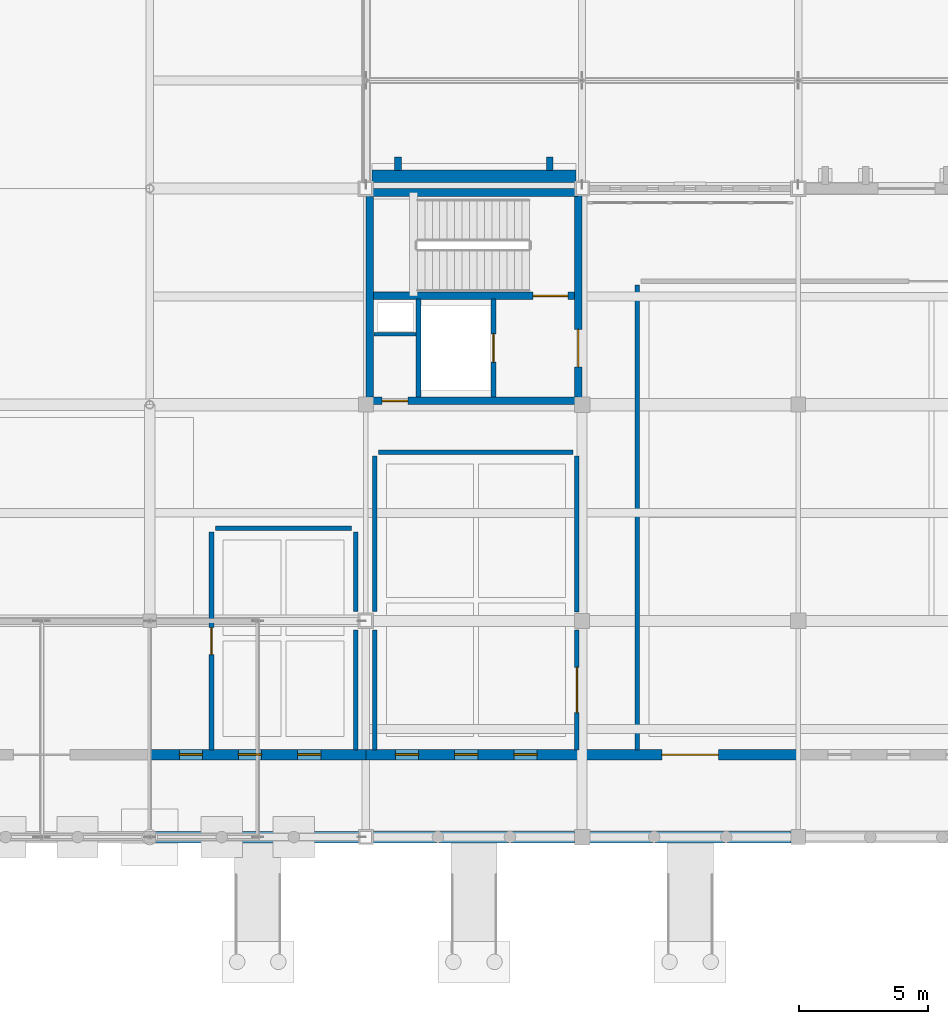
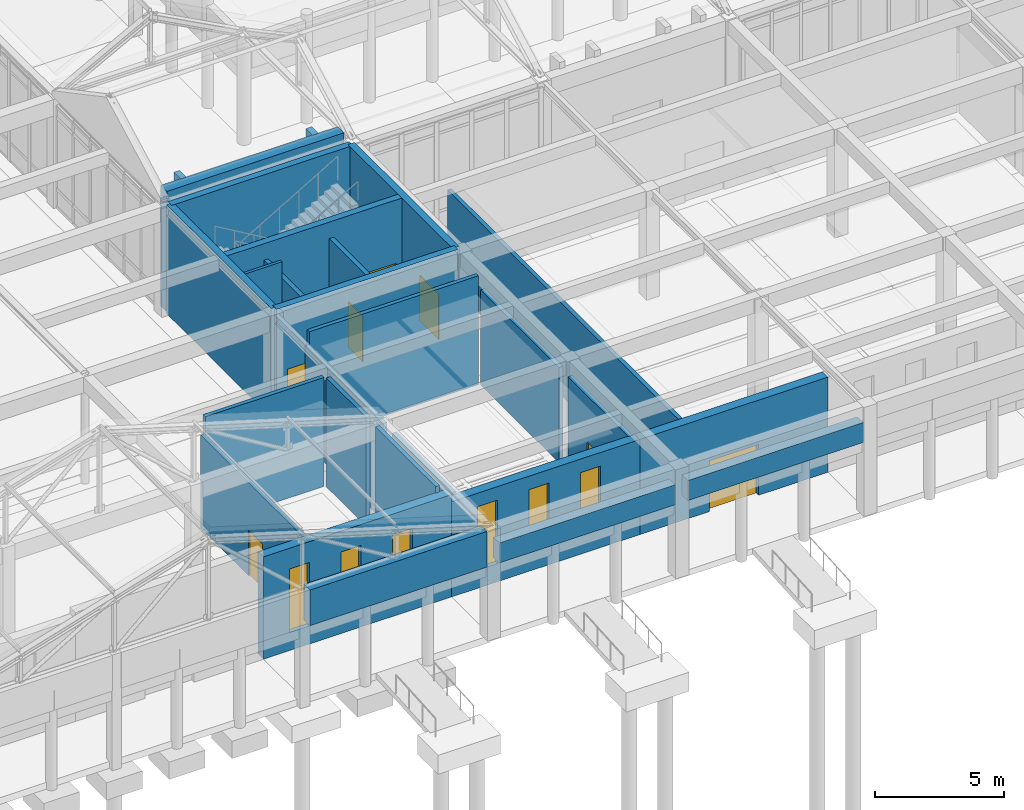
# One storey, part 110 of 143: 27 walls, 7 doors, 6 windows, 13 openings.
"""IFC4 building model written with IfcOpenShell, lengths in metres."""

from ifc_helpers import new_model, si_unit, direction, frame, frame_2d, origin, place, context, subcontext, project, spatial, rectangle, extrude, material, layer, layer_set, type_object, element, fill, save


model = new_model("IFC4")

# Units and contexts
model_context = context("Model", 3, precision=1e-05, world=origin(), true_north=direction((0.0, 1.0)))
body_context = subcontext(model_context, "Body", "Model", "MODEL_VIEW")
ifc_project = project(units=[si_unit("LENGTHUNIT", "METRE"), si_unit("AREAUNIT", "SQUARE_METRE"), si_unit("VOLUMEUNIT", "CUBIC_METRE"), si_unit("PLANEANGLEUNIT", "RADIAN"), si_unit("MASSUNIT", "GRAM", prefix="KILO")], contexts=[model_context])

# Site, building, storey
site_placement = place(None, origin())
site = spatial("IfcSite", under=ifc_project, at=site_placement, CompositionType="ELEMENT")
building_placement = place(site_placement, origin())
building = spatial("IfcBuilding", under=site, at=building_placement, Name="Kveldsbrygga Polytechnic", CompositionType="ELEMENT")
storey_placement = place(building_placement, origin())
storey = spatial("IfcBuildingStorey", under=building, at=storey_placement, Name="L00", CompositionType="ELEMENT", Elevation=0.0)

# Wall
ifc_material_1 = material(Name="Fired clay brick masonry M10", Category="masonry")
ifc_layer_1 = layer(ifc_material_1, 0.47998046875)
ifc_layer_set_1 = layer_set([ifc_layer_1], Name="Fired clay brick masonry M10")
wall_type_1 = type_object("IfcWallType", Name="EW-BAST-480", PredefinedType="SOLIDWALL", material=ifc_layer_set_1)
wall_1_placement = place(storey_placement, frame((75.840087890625, 25.679931640625, -0.25), z_axis=(0.0, 0.0, 1.0), x_axis=(1.0, 0.0, 0.0)))
element("IfcWall", 1, at=wall_1_placement, inside=storey, type_object=wall_type_1, Name="Corner Stair Bastion Wall BAST-L00-X-09-03", PredefinedType="SOLIDWALL", context=body_context, shape_type="SweptSolid", body=[
    extrude(rectangle(XDim=7.919921875, YDim=0.47998046875, at=frame_2d((3.9599609375, 0.0))), origin(), (0.0, 0.0, 1.0), 5.68994140625),
])

# Wall, openings, windows
ifc_layer_2 = layer(ifc_material_1, 0.419921875)
ifc_layer_set_2 = layer_set([ifc_layer_2], Name="Fired clay brick masonry M10")
wall_type_2 = type_object("IfcWallType", Name="EW-BRICK-420", PredefinedType="SOLIDWALL", material=ifc_layer_set_2)
wall_2_placement = place(storey_placement, frame((67.199951171875, 3.199951171875, 0.0), z_axis=(0.0, 0.0, 1.0), x_axis=(1.0, 0.0, 0.0)))
wall_2 = element("IfcWall", 2, at=wall_2_placement, inside=storey, type_object=wall_type_2, Name="Colonnade Recessed Ground Wall EW-L00-X-08-00", PredefinedType="SOLIDWALL", context=body_context, shape_type="SweptSolid", body=[
    extrude(rectangle(XDim=8.400146484375, YDim=0.419921875, at=frame_2d((4.2001953125, 0.0))), origin(), (0.0, 0.0, 1.0), 4.830078125),
])
opening_1_placement = place(wall_2_placement, frame((1.14990234375, 0.0, 0.85009765625)))
opening_1 = element("IfcOpeningElement", 3, at=opening_1_placement, cuts=wall_2, Name="Opening W-19", PredefinedType="OPENING", context=body_context, shape_type="SweptSolid", body=[
    extrude(rectangle(XDim=0.89990234375, YDim=3.0, at=frame_2d((0.449951171875, 1.5))), frame((0.0, 0.219970703125, 0.0), z_axis=(0.0, -1.0, 0.0), x_axis=(1.0, 0.0, 0.0)), (0.0, 0.0, 1.0), 0.43994140625),
])
opening_2_placement = place(wall_2_placement, frame((3.449951171875, 0.0, 0.85009765625)))
opening_2 = element("IfcOpeningElement", 4, at=opening_2_placement, cuts=wall_2, Name="Opening W-19", PredefinedType="OPENING", context=body_context, shape_type="SweptSolid", body=[
    extrude(rectangle(XDim=0.89990234375, YDim=3.0, at=frame_2d((0.449951171875, 1.5))), frame((0.0, 0.219970703125, 0.0), z_axis=(0.0, -1.0, 0.0), x_axis=(1.0, 0.0, 0.0)), (0.0, 0.0, 1.0), 0.43994140625),
])
opening_3_placement = place(wall_2_placement, frame((5.75, 0.0, 0.85009765625)))
opening_3 = element("IfcOpeningElement", 5, at=opening_3_placement, cuts=wall_2, Name="Opening W-19", PredefinedType="OPENING", context=body_context, shape_type="SweptSolid", body=[
    extrude(rectangle(XDim=0.89990234375, YDim=3.0, at=frame_2d((0.449951171875, 1.5))), frame((0.0, 0.219970703125, 0.0), z_axis=(0.0, -1.0, 0.0), x_axis=(1.0, 0.0, 0.0)), (0.0, 0.0, 1.0), 0.43994140625),
])
ifc_material_2 = material(Name="Insulated triple low-E glass", Category="glass")
window_type = type_object("IfcWindowType", Name="WN-LANC-090x300", PartitioningType="DOUBLE_PANEL_VERTICAL", PredefinedType="WINDOW", material=ifc_material_2)
window_1_placement = place(opening_1_placement, origin())
window_1 = element("IfcWindow", 6, at=window_1_placement, inside=storey, type_object=window_type, Name="Colonnade Lancet Window WIN-L00-X-08-00-1", OverallHeight=3.0, OverallWidth=0.89990234375, PartitioningType="DOUBLE_PANEL_VERTICAL", PredefinedType="WINDOW", context=body_context, shape_type="SweptSolid", body=[
    extrude(rectangle(XDim=0.89990234375, YDim=3.0, at=frame_2d((0.449951171875, 1.5))), frame((0.0, 0.030029296875, 0.0), z_axis=(0.0, -1.0, 0.0), x_axis=(1.0, 0.0, 0.0)), (0.0, 0.0, 1.0), 0.06005859375),
])
fill(opening_1, window_1)
window_2_placement = place(opening_2_placement, origin())
window_2 = element("IfcWindow", 7, at=window_2_placement, inside=storey, type_object=window_type, Name="Colonnade Lancet Window WIN-L00-X-08-00-2", OverallHeight=3.0, OverallWidth=0.89990234375, PartitioningType="DOUBLE_PANEL_VERTICAL", PredefinedType="WINDOW", context=body_context, shape_type="SweptSolid", body=[
    extrude(rectangle(XDim=0.89990234375, YDim=3.0, at=frame_2d((0.449951171875, 1.5))), frame((0.0, 0.030029296875, 0.0), z_axis=(0.0, -1.0, 0.0), x_axis=(1.0, 0.0, 0.0)), (0.0, 0.0, 1.0), 0.06005859375),
])
fill(opening_2, window_2)
window_3_placement = place(opening_3_placement, origin())
window_3 = element("IfcWindow", 8, at=window_3_placement, inside=storey, type_object=window_type, Name="Colonnade Lancet Window WIN-L00-X-08-00-3", OverallHeight=3.0, OverallWidth=0.89990234375, PartitioningType="DOUBLE_PANEL_VERTICAL", PredefinedType="WINDOW", context=body_context, shape_type="SweptSolid", body=[
    extrude(rectangle(XDim=0.89990234375, YDim=3.0, at=frame_2d((0.449951171875, 1.5))), frame((0.0, 0.030029296875, 0.0), z_axis=(0.0, -1.0, 0.0), x_axis=(1.0, 0.0, 0.0)), (0.0, 0.0, 1.0), 0.06005859375),
])
fill(opening_3, window_3)

wall_3_placement = place(storey_placement, frame((75.60009765625, 3.199951171875, 0.0), z_axis=(0.0, 0.0, 1.0), x_axis=(1.0, 0.0, 0.0)))
wall_3 = element("IfcWall", 9, at=wall_3_placement, inside=storey, type_object=wall_type_2, Name="Colonnade Recessed Ground Wall EW-L00-X-09-00", PredefinedType="SOLIDWALL", context=body_context, shape_type="SweptSolid", body=[
    extrude(rectangle(XDim=8.39990234375, YDim=0.419921875, at=frame_2d((4.199951171875, 0.0))), origin(), (0.0, 0.0, 1.0), 4.489990234375),
])
opening_4_placement = place(wall_3_placement, frame((1.14990234375, 0.0, 0.85009765625)))
opening_4 = element("IfcOpeningElement", 10, at=opening_4_placement, cuts=wall_3, Name="Opening W-19", PredefinedType="OPENING", context=body_context, shape_type="SweptSolid", body=[
    extrude(rectangle(XDim=0.89990234375, YDim=3.0, at=frame_2d((0.449951171875, 1.5))), frame((0.0, 0.219970703125, 0.0), z_axis=(0.0, -1.0, 0.0), x_axis=(1.0, 0.0, 0.0)), (0.0, 0.0, 1.0), 0.43994140625),
])
opening_5_placement = place(wall_3_placement, frame((3.449951171875, 0.0, 0.85009765625)))
opening_5 = element("IfcOpeningElement", 11, at=opening_5_placement, cuts=wall_3, Name="Opening W-19", PredefinedType="OPENING", context=body_context, shape_type="SweptSolid", body=[
    extrude(rectangle(XDim=0.89990234375, YDim=3.0, at=frame_2d((0.449951171875, 1.5))), frame((0.0, 0.219970703125, 0.0), z_axis=(0.0, -1.0, 0.0), x_axis=(1.0, 0.0, 0.0)), (0.0, 0.0, 1.0), 0.43994140625),
])
opening_6_placement = place(wall_3_placement, frame((5.75, 0.0, 0.85009765625)))
opening_6 = element("IfcOpeningElement", 12, at=opening_6_placement, cuts=wall_3, Name="Opening W-19", PredefinedType="OPENING", context=body_context, shape_type="SweptSolid", body=[
    extrude(rectangle(XDim=0.89990234375, YDim=3.0, at=frame_2d((0.449951171875, 1.5))), frame((0.0, 0.219970703125, 0.0), z_axis=(0.0, -1.0, 0.0), x_axis=(1.0, 0.0, 0.0)), (0.0, 0.0, 1.0), 0.43994140625),
])
window_4_placement = place(opening_4_placement, origin())
window_4 = element("IfcWindow", 13, at=window_4_placement, inside=storey, type_object=window_type, Name="Colonnade Lancet Window WIN-L00-X-09-00-1", OverallHeight=3.0, OverallWidth=0.89990234375, PartitioningType="DOUBLE_PANEL_VERTICAL", PredefinedType="WINDOW", context=body_context, shape_type="SweptSolid", body=[
    extrude(rectangle(XDim=0.89990234375, YDim=3.0, at=frame_2d((0.449951171875, 1.5))), frame((0.0, 0.030029296875, 0.0), z_axis=(0.0, -1.0, 0.0), x_axis=(1.0, 0.0, 0.0)), (0.0, 0.0, 1.0), 0.06005859375),
])
fill(opening_4, window_4)
window_5_placement = place(opening_5_placement, origin())
window_5 = element("IfcWindow", 14, at=window_5_placement, inside=storey, type_object=window_type, Name="Colonnade Lancet Window WIN-L00-X-09-00-2", OverallHeight=3.0, OverallWidth=0.89990234375, PartitioningType="DOUBLE_PANEL_VERTICAL", PredefinedType="WINDOW", context=body_context, shape_type="SweptSolid", body=[
    extrude(rectangle(XDim=0.89990234375, YDim=3.0, at=frame_2d((0.449951171875, 1.5))), frame((0.0, 0.030029296875, 0.0), z_axis=(0.0, -1.0, 0.0), x_axis=(1.0, 0.0, 0.0)), (0.0, 0.0, 1.0), 0.06005859375),
])
fill(opening_5, window_5)
window_6_placement = place(opening_6_placement, origin())
window_6 = element("IfcWindow", 15, at=window_6_placement, inside=storey, type_object=window_type, Name="Colonnade Lancet Window WIN-L00-X-09-00-3", OverallHeight=3.0, OverallWidth=0.89990234375, PartitioningType="DOUBLE_PANEL_VERTICAL", PredefinedType="WINDOW", context=body_context, shape_type="SweptSolid", body=[
    extrude(rectangle(XDim=0.89990234375, YDim=3.0, at=frame_2d((0.449951171875, 1.5))), frame((0.0, 0.030029296875, 0.0), z_axis=(0.0, -1.0, 0.0), x_axis=(1.0, 0.0, 0.0)), (0.0, 0.0, 1.0), 0.06005859375),
])
fill(opening_6, window_6)

# Wall, opening, door
wall_4_placement = place(storey_placement, frame((84.0, 3.199951171875, 0.0), z_axis=(0.0, 0.0, 1.0), x_axis=(1.0, 0.0, 0.0)))
wall_4 = element("IfcWall", 16, at=wall_4_placement, inside=storey, type_object=wall_type_2, Name="Colonnade Recessed Ground Wall EW-L00-X-10-00", PredefinedType="SOLIDWALL", context=body_context, shape_type="SweptSolid", body=[
    extrude(rectangle(XDim=8.39990234375, YDim=0.419921875, at=frame_2d((4.199951171875, 0.0))), origin(), (0.0, 0.0, 1.0), 4.489990234375),
])
opening_7_placement = place(wall_4_placement, frame((3.10009765625, 0.0, 0.0)))
opening_7 = element("IfcOpeningElement", 17, at=opening_7_placement, cuts=wall_4, Name="Opening ED-08", PredefinedType="OPENING", context=body_context, shape_type="SweptSolid", body=[
    extrude(rectangle(XDim=2.199951171875, YDim=2.39990234375, at=frame_2d((1.10009765625, 1.199951171875))), frame((0.0, 0.219970703125, 0.0), z_axis=(0.0, -1.0, 0.0), x_axis=(1.0, 0.0, 0.0)), (0.0, 0.0, 1.0), 0.43994140625),
])
ifc_material_3 = material(Name="Anodised aluminium AW-6060", Category="aluminium")
door_type_1 = type_object("IfcDoorType", Name="ED-MAIN-220x240", OperationType="DOUBLE_DOOR_SINGLE_SWING", PredefinedType="DOOR", material=ifc_material_3)
door_1_placement = place(opening_7_placement, origin())
door_1 = element("IfcDoor", 18, at=door_1_placement, inside=storey, type_object=door_type_1, Name="Colonnade Entrance Door ED-08", OperationType="DOUBLE_DOOR_SINGLE_SWING", OverallHeight=2.39990234375, OverallWidth=2.199951171875, PredefinedType="DOOR", context=body_context, shape_type="SweptSolid", body=[
    extrude(rectangle(XDim=2.199951171875, YDim=2.39990234375, at=frame_2d((1.10009765625, 1.199951171875))), frame((0.0, 0.02490234375, 0.0), z_axis=(0.0, -1.0, 0.0), x_axis=(1.0, 0.0, 0.0)), (0.0, 0.0, 1.0), 0.050048828125),
])
fill(opening_7, door_1)

# Walls
ifc_layer_3 = layer(ifc_material_1, 0.260009765625)
ifc_layer_set_3 = layer_set([ifc_layer_3], Name="Fired clay brick masonry M10")
wall_type_3 = type_object("IfcWallType", Name="EW-BUTT-260", PredefinedType="SOLIDWALL", material=ifc_layer_set_3)
for number, where, z_axis, x_axis, name in (
    (19, (76.85009765625, 25.89990234375, -0.25), (0.0, 0.0, 1.0), (0.0, 1.0, 0.0), "Gothic Brick Buttress Pier BCLAS-L00-X-09-03-1"),
    (20, (82.75, 25.89990234375, -0.25), (0.0, 0.0, 1.0), (0.0, 1.0, 0.0), "Gothic Brick Buttress Pier BCLAS-L00-X-09-03-2"),
):
    element("IfcWall", number, at=place(storey_placement, frame(where, z_axis=z_axis, x_axis=x_axis)), inside=storey, type_object=wall_type_3, Name=name, PredefinedType="SOLIDWALL", context=body_context, shape_type="SweptSolid", body=[
        extrude(rectangle(XDim=0.52001953125, YDim=0.260009765625, at=frame_2d((0.260009765625, 0.0))), origin(), (0.0, 0.0, 1.0), 5.68994140625),
    ])
ifc_material_4 = material(Name="Iddefjord granite ashlar", Category="masonry")
ifc_layer_4 = layer(ifc_material_4, 0.449951171875)
ifc_layer_set_4 = layer_set([ifc_layer_4], Name="Iddefjord granite ashlar")
wall_type_4 = type_object("IfcWallType", Name="EW-GRAN-450", PredefinedType="SOLIDWALL", material=ifc_layer_set_4)
wall_5_placement = place(storey_placement, frame((67.409912109375, 0.0, 3.455078125), z_axis=(0.0, 0.0, 1.0), x_axis=(1.0, 0.0, 0.0)))
element("IfcWall", 21, at=wall_5_placement, inside=storey, type_object=wall_type_4, Name="Harbour Colonnade Granite Arch Header EW-PROM-HDR-08", PredefinedType="SOLIDWALL", context=body_context, shape_type="SweptSolid", body=[
    extrude(rectangle(XDim=7.9150390625, YDim=0.449951171875, at=frame_2d((3.95751953125, 0.0))), origin(), (0.0, 0.0, 1.0), 1.684814453125),
])
for number, where, z_axis, x_axis, name in (
    (22, (75.875, 0.0, 3.455078125), (0.0, 0.0, 1.0), (1.0, 0.0, 0.0), "Harbour Colonnade Granite Arch Header EW-PROM-HDR-09"),
    (23, (84.284912109375, 0.0, 3.455078125), (0.0, 0.0, 1.0), (1.0, 0.0, 0.0), "Harbour Colonnade Granite Arch Header EW-PROM-HDR-10"),
):
    element("IfcWall", number, at=place(storey_placement, frame(where, z_axis=z_axis, x_axis=x_axis)), inside=storey, type_object=wall_type_4, Name=name, PredefinedType="SOLIDWALL", context=body_context, shape_type="SweptSolid", body=[
        extrude(rectangle(XDim=7.840087890625, YDim=0.449951171875, at=frame_2d((3.919921875, 0.0))), origin(), (0.0, 0.0, 1.0), 0.94482421875),
    ])

# Wall, opening, door
ifc_material_5 = material(Name="Gypsum acoustic stud partition")
ifc_layer_5 = layer(ifc_material_5, 0.179931640625)
ifc_layer_set_5 = layer_set([ifc_layer_5], Name="Gypsum acoustic stud partition")
wall_type_5 = type_object("IfcWallType", Name="IW-CORR-180", PredefinedType="PARTITIONING", material=ifc_layer_set_5)
wall_6_placement = place(storey_placement, frame((69.60009765625, 3.3798828125, 0.0), z_axis=(0.0, 0.0, 1.0), x_axis=(0.0, 1.0, 0.0)))
wall_6 = element("IfcWall", 24, at=wall_6_placement, inside=storey, type_object=wall_type_5, Name="Partition Wall IW-SP-L00-FCR-W1", PredefinedType="PARTITIONING", context=body_context, shape_type="SweptSolid", body=[
    extrude(rectangle(XDim=8.47021484375, YDim=0.179931640625, at=frame_2d((4.235107421875, 0.0))), origin(), (0.0, 0.0, 1.0), 4.389892578125),
])
opening_8_placement = place(wall_6_placement, frame((3.7099609375, 0.0, 0.0)))
opening_8 = element("IfcOpeningElement", 25, at=opening_8_placement, cuts=wall_6, Name="Opening ID-L00-024", PredefinedType="OPENING", context=body_context, shape_type="SweptSolid", body=[
    extrude(rectangle(XDim=1.050048828125, YDim=2.14990234375, at=frame_2d((0.52490234375, 1.074951171875))), frame((0.0, 0.10009765625, 0.0), z_axis=(0.0, -1.0, 0.0), x_axis=(1.0, 0.0, 0.0)), (0.0, 0.0, 1.0), 0.199951171875),
])
ifc_material_6 = material(Name="Acoustic oak timber", Category="wood")
door_type_2 = type_object("IfcDoorType", Name="ID-SEM-105x215", OperationType="NOTDEFINED", PredefinedType="DOOR", material=ifc_material_6)
door_2_placement = place(opening_8_placement, origin())
door_2 = element("IfcDoor", 26, at=door_2_placement, inside=storey, type_object=door_type_2, Name="Interior Door ID-L00-024", OperationType="SINGLE_SWING_LEFT", OverallHeight=2.14990234375, OverallWidth=1.050048828125, PredefinedType="DOOR", context=body_context, shape_type="SweptSolid", body=[
    extrude(rectangle(XDim=1.050048828125, YDim=2.14990234375, at=frame_2d((0.52490234375, 1.074951171875))), frame((0.0, 0.02490234375, 0.0), z_axis=(0.0, -1.0, 0.0), x_axis=(1.0, 0.0, 0.0)), (0.0, 0.0, 1.0), 0.050048828125),
])
fill(opening_8, door_2)

# Walls
wall_7_placement = place(storey_placement, frame((69.75, 12.0, 0.0), z_axis=(0.0, 0.0, 1.0), x_axis=(1.0, 0.0, 0.0)))
element("IfcWall", 27, at=wall_7_placement, inside=storey, type_object=wall_type_5, Name="Partition Wall IW-SP-L00-FCR-N1", PredefinedType="PARTITIONING", context=body_context, shape_type="SweptSolid", body=[
    extrude(rectangle(XDim=5.300048828125, YDim=0.179931640625, at=frame_2d((2.64990234375, 0.0))), origin(), (0.0, 0.0, 1.0), 5.139892578125),
])
wall_8_placement = place(storey_placement, frame((75.199951171875, 3.3798828125, 0.0), z_axis=(0.0, 0.0, 1.0), x_axis=(0.0, 1.0, 0.0)))
element("IfcWall", 28, at=wall_8_placement, inside=storey, type_object=wall_type_5, Name="Partition Wall IW-SP-L00-FCR-E1", PredefinedType="PARTITIONING", context=body_context, shape_type="SweptSolid", body=[
    extrude(rectangle(XDim=4.66015625, YDim=0.179931640625, at=frame_2d((2.330078125, 0.0))), origin(), (0.0, 0.0, 1.0), 5.139892578125),
])
wall_9_placement = place(storey_placement, frame((75.199951171875, 8.760009765625, 0.0), z_axis=(0.0, 0.0, 1.0), x_axis=(0.0, 1.0, 0.0)))
element("IfcWall", 29, at=wall_9_placement, inside=storey, type_object=wall_type_5, Name="Partition Wall IW-SP-L00-FCR-E2", PredefinedType="PARTITIONING", context=body_context, shape_type="SweptSolid", body=[
    extrude(rectangle(XDim=3.090087890625, YDim=0.179931640625, at=frame_2d((1.544921875, 0.0))), origin(), (0.0, 0.0, 1.0), 5.139892578125),
])

# Wall, opening, door
wall_10_placement = place(storey_placement, frame((83.800048828125, 3.3798828125, 0.0), z_axis=(0.0, 0.0, 1.0), x_axis=(0.0, 1.0, 0.0)))
wall_10 = element("IfcWall", 30, at=wall_10_placement, inside=storey, type_object=wall_type_5, Name="Partition Wall IW-SP-L00-REFECW-E1", PredefinedType="PARTITIONING", context=body_context, shape_type="SweptSolid", body=[
    extrude(rectangle(XDim=4.670166015625, YDim=0.179931640625, at=frame_2d((2.3349609375, 0.0))), origin(), (0.0, 0.0, 1.0), 4.489990234375),
])
opening_9_placement = place(wall_10_placement, frame((1.4599609375, 0.0, 0.0)))
opening_9 = element("IfcOpeningElement", 31, at=opening_9_placement, cuts=wall_10, Name="Opening ID-L00-031", PredefinedType="OPENING", context=body_context, shape_type="SweptSolid", body=[
    extrude(rectangle(XDim=1.75, YDim=2.300048828125, at=frame_2d((0.875, 1.14990234375))), frame((0.0, 0.10009765625, 0.0), z_axis=(0.0, -1.0, 0.0), x_axis=(1.0, 0.0, 0.0)), (0.0, 0.0, 1.0), 0.199951171875),
])
door_type_3 = type_object("IfcDoorType", Name="ID-REF-175x230", OperationType="DOUBLE_DOOR_SINGLE_SWING", PredefinedType="DOOR", material=ifc_material_6)
door_3_placement = place(opening_9_placement, origin())
door_3 = element("IfcDoor", 32, at=door_3_placement, inside=storey, type_object=door_type_3, Name="Interior Door ID-L00-031", OperationType="DOUBLE_DOOR_SINGLE_SWING", OverallHeight=2.300048828125, OverallWidth=1.75, PredefinedType="DOOR", context=body_context, shape_type="SweptSolid", body=[
    extrude(rectangle(XDim=1.75, YDim=2.300048828125, at=frame_2d((0.875, 1.14990234375))), frame((0.0, 0.02490234375, 0.0), z_axis=(0.0, -1.0, 0.0), x_axis=(1.0, 0.0, 0.0)), (0.0, 0.0, 1.0), 0.050048828125),
])
fill(opening_9, door_3)

# Walls
wall_11_placement = place(storey_placement, frame((83.800048828125, 8.75, 0.0), z_axis=(0.0, 0.0, 1.0), x_axis=(0.0, 1.0, 0.0)))
element("IfcWall", 33, at=wall_11_placement, inside=storey, type_object=wall_type_5, Name="Partition Wall IW-SP-L00-REFECW-E2", PredefinedType="PARTITIONING", context=body_context, shape_type="SweptSolid", body=[
    extrude(rectangle(XDim=6.050048828125, YDim=0.179931640625, at=frame_2d((3.02490234375, 0.0))), origin(), (0.0, 0.0, 1.0), 4.489990234375),
])
wall_12_placement = place(storey_placement, frame((76.10009765625, 14.949951171875, 0.0), z_axis=(0.0, 0.0, 1.0), x_axis=(1.0, 0.0, 0.0)))
element("IfcWall", 34, at=wall_12_placement, inside=storey, type_object=wall_type_5, Name="Partition Wall IW-SP-L00-REFECW-N1", PredefinedType="PARTITIONING", context=body_context, shape_type="SweptSolid", body=[
    extrude(rectangle(XDim=7.5498046875, YDim=0.179931640625, at=frame_2d((3.77490234375, 0.0))), origin(), (0.0, 0.0, 1.0), 5.139892578125),
])
wall_13_placement = place(storey_placement, frame((75.949951171875, 3.3798828125, 0.0), z_axis=(0.0, 0.0, 1.0), x_axis=(0.0, 1.0, 0.0)))
element("IfcWall", 35, at=wall_13_placement, inside=storey, type_object=wall_type_5, Name="Partition Wall IW-SP-L00-REFECW-W1", PredefinedType="PARTITIONING", context=body_context, shape_type="SweptSolid", body=[
    extrude(rectangle(XDim=4.66015625, YDim=0.179931640625, at=frame_2d((2.330078125, 0.0))), origin(), (0.0, 0.0, 1.0), 4.580078125),
])
wall_14_placement = place(storey_placement, frame((75.949951171875, 8.760009765625, 0.0), z_axis=(0.0, 0.0, 1.0), x_axis=(0.0, 1.0, 0.0)))
element("IfcWall", 36, at=wall_14_placement, inside=storey, type_object=wall_type_5, Name="Partition Wall IW-SP-L00-REFECW-W2", PredefinedType="PARTITIONING", context=body_context, shape_type="SweptSolid", body=[
    extrude(rectangle(XDim=6.0400390625, YDim=0.179931640625, at=frame_2d((3.02001953125, 0.0))), origin(), (0.0, 0.0, 1.0), 4.590087890625),
])
wall_15_placement = place(storey_placement, frame((86.14990234375, 3.3798828125, 0.0), z_axis=(0.0, 0.0, 1.0), x_axis=(0.0, 1.0, 0.0)))
element("IfcWall", 37, at=wall_15_placement, inside=storey, type_object=wall_type_5, Name="Partition Wall IW-SP-L00-REFEC-W1", PredefinedType="PARTITIONING", context=body_context, shape_type="SweptSolid", body=[
    extrude(rectangle(XDim=18.070068359375, YDim=0.179931640625, at=frame_2d((9.03515625, 0.0))), origin(), (0.0, 0.0, 1.0), 4.360107421875),
])
ifc_material_7 = material(Name="Moisture-resistant masonry M10", Category="masonry")
ifc_layer_6 = layer(ifc_material_7, 0.1298828125)
ifc_layer_set_6 = layer_set([ifc_layer_6], Name="Moisture-resistant masonry M10")
wall_type_6 = type_object("IfcWallType", Name="IW-SAN-130", PredefinedType="PARTITIONING", material=ifc_layer_set_6)
wall_16_placement = place(storey_placement, frame((75.919921875, 19.5400390625, 0.0), z_axis=(0.0, 0.0, 1.0), x_axis=(1.0, 0.0, 0.0)))
element("IfcWall", 38, at=wall_16_placement, inside=storey, type_object=wall_type_6, Name="Core AWC Divider C6-L00-W-RSR", PredefinedType="PARTITIONING", context=body_context, shape_type="SweptSolid", body=[
    extrude(rectangle(XDim=1.6201171875, YDim=0.1298828125, at=frame_2d((0.81005859375, 0.0))), origin(), (0.0, 0.0, 1.0), 5.139892578125),
])

# Wall, opening, door
ifc_material_8 = material(Name="Concrete C45/55", Category="concrete")
ifc_layer_7 = layer(ifc_material_8, 0.300048828125)
ifc_layer_set_7 = layer_set([ifc_layer_7], Name="Concrete C45/55")
wall_type_7 = type_object("IfcWallType", Name="WL-CORE-300", PredefinedType="SHEAR", material=ifc_layer_set_7)
wall_17_placement = place(storey_placement, frame((75.75, 16.949951171875, 0.0), z_axis=(0.0, 0.0, 1.0), x_axis=(1.0, 0.0, 0.0)))
wall_17 = element("IfcWall", 39, at=wall_17_placement, inside=storey, type_object=wall_type_7, Name="Core C6 Shear Wall C6-L00-SW-S", PredefinedType="SHEAR", context=body_context, shape_type="SweptSolid", body=[
    extrude(rectangle(XDim=8.10009765625, YDim=0.300048828125, at=frame_2d((4.050048828125, 0.0))), origin(), (0.0, 0.0, 1.0), 5.139892578125),
])
opening_10_placement = place(wall_17_placement, frame((0.485107421875, 0.0, 0.0)))
opening_10 = element("IfcOpeningElement", 40, at=opening_10_placement, cuts=wall_17, Name="Opening ID-C6-L00-AWC", PredefinedType="OPENING", context=body_context, shape_type="SweptSolid", body=[
    extrude(rectangle(XDim=1.0, YDim=2.14990234375, at=frame_2d((0.5, 1.074951171875))), frame((0.0, 0.16015625, 0.0), z_axis=(0.0, -1.0, 0.0), x_axis=(1.0, 0.0, 0.0)), (0.0, 0.0, 1.0), 0.320068359375),
])
door_type_4 = type_object("IfcDoorType", Name="ID-AWC-100x215", OperationType="NOTDEFINED", PredefinedType="DOOR", material=ifc_material_6)
door_4_placement = place(opening_10_placement, origin())
door_4 = element("IfcDoor", 41, at=door_4_placement, inside=storey, type_object=door_type_4, Name="Accessible WC Door ID-C6-L00-AWC", OperationType="SINGLE_SWING_LEFT", OverallHeight=2.14990234375, OverallWidth=1.0, PredefinedType="DOOR", context=body_context, shape_type="SweptSolid", body=[
    extrude(rectangle(XDim=1.0, YDim=2.14990234375, at=frame_2d((0.5, 1.074951171875))), frame((0.0, 0.02490234375, 0.0), z_axis=(0.0, -1.0, 0.0), x_axis=(1.0, 0.0, 0.0)), (0.0, 0.0, 1.0), 0.050048828125),
])
fill(opening_10, door_4)

# Walls
for number, where, z_axis, x_axis, name in (
    (42, (75.75, 25.050048828125, 0.0), (0.0, 0.0, 1.0), (1.0, 0.0, 0.0), "Core C6 Shear Wall C6-L00-SW-N"),
    (43, (75.75, 16.949951171875, 0.0), (0.0, 0.0, 1.0), (0.0, 1.0, 0.0), "Core C6 Shear Wall C6-L00-SW-W"),
):
    element("IfcWall", number, at=place(storey_placement, frame(where, z_axis=z_axis, x_axis=x_axis)), inside=storey, type_object=wall_type_7, Name=name, PredefinedType="SHEAR", context=body_context, shape_type="SweptSolid", body=[
        extrude(rectangle(XDim=8.10009765625, YDim=0.300048828125, at=frame_2d((4.050048828125, 0.0))), origin(), (0.0, 0.0, 1.0), 5.139892578125),
    ])

# Wall, opening, door
wall_18_placement = place(storey_placement, frame((83.85009765625, 16.949951171875, 0.0), z_axis=(0.0, 0.0, 1.0), x_axis=(0.0, 1.0, 0.0)))
wall_18 = element("IfcWall", 44, at=wall_18_placement, inside=storey, type_object=wall_type_7, Name="Core C6 Shear Wall C6-L00-SW-E", PredefinedType="SHEAR", context=body_context, shape_type="SweptSolid", body=[
    extrude(rectangle(XDim=8.10009765625, YDim=0.300048828125, at=frame_2d((4.050048828125, 0.0))), origin(), (0.0, 0.0, 1.0), 5.139892578125),
])
opening_11_placement = place(wall_18_placement, frame((1.324951171875, 0.0, 0.0)))
opening_11 = element("IfcOpeningElement", 45, at=opening_11_placement, cuts=wall_18, Name="Opening FD-C6-L00-LOB", PredefinedType="OPENING", context=body_context, shape_type="SweptSolid", body=[
    extrude(rectangle(XDim=1.449951171875, YDim=2.14990234375, at=frame_2d((0.72509765625, 1.074951171875))), frame((0.0, 0.16015625, 0.0), z_axis=(0.0, -1.0, 0.0), x_axis=(1.0, 0.0, 0.0)), (0.0, 0.0, 1.0), 0.320068359375),
])
ifc_material_9 = material(Name="Powder-coated galvanised steel", Category="steel")
door_type_5 = type_object("IfcDoorType", Name="ID-LOBBY-145x215", OperationType="DOUBLE_DOOR_SINGLE_SWING", PredefinedType="DOOR", material=ifc_material_9)
door_5_placement = place(opening_11_placement, origin())
door_5 = element("IfcDoor", 46, at=door_5_placement, inside=storey, type_object=door_type_5, Name="Core Lobby Fire Door FD-C6-L00-LOB", OperationType="DOUBLE_DOOR_SINGLE_SWING", OverallHeight=2.14990234375, OverallWidth=1.449951171875, PredefinedType="DOOR", context=body_context, shape_type="SweptSolid", body=[
    extrude(rectangle(XDim=1.449951171875, YDim=2.14990234375, at=frame_2d((0.72509765625, 1.074951171875))), frame((0.0, 0.02490234375, 0.0), z_axis=(0.0, -1.0, 0.0), x_axis=(1.0, 0.0, 0.0)), (0.0, 0.0, 1.0), 0.050048828125),
])
fill(opening_11, door_5)

wall_19_placement = place(storey_placement, frame((75.89990234375, 21.030029296875, 0.0), z_axis=(0.0, 0.0, 1.0), x_axis=(1.0, 0.0, 0.0)))
wall_19 = element("IfcWall", 47, at=wall_19_placement, inside=storey, type_object=wall_type_7, Name="Core C6 Shear Wall C6-L00-W-DIV", PredefinedType="SHEAR", context=body_context, shape_type="SweptSolid", body=[
    extrude(rectangle(XDim=7.800048828125, YDim=0.300048828125, at=frame_2d((3.89990234375, 0.0))), origin(), (0.0, 0.0, 1.0), 5.139892578125),
])
opening_12_placement = place(wall_19_placement, frame((6.199951171875, 0.0, 0.0)))
opening_12 = element("IfcOpeningElement", 48, at=opening_12_placement, cuts=wall_19, Name="Opening FD-C6-L00-ST", PredefinedType="OPENING", context=body_context, shape_type="SweptSolid", body=[
    extrude(rectangle(XDim=1.35009765625, YDim=2.14990234375, at=frame_2d((0.675048828125, 1.074951171875))), frame((0.0, 0.16015625, 0.0), z_axis=(0.0, -1.0, 0.0), x_axis=(1.0, 0.0, 0.0)), (0.0, 0.0, 1.0), 0.320068359375),
])
door_type_6 = type_object("IfcDoorType", Name="ID-STAIR-135x215", OperationType="NOTDEFINED", PredefinedType="DOOR", material=ifc_material_9)
door_6_placement = place(opening_12_placement, origin())
door_6 = element("IfcDoor", 49, at=door_6_placement, inside=storey, type_object=door_type_6, Name="Stair Fire Door FD-C6-L00-ST", OperationType="SINGLE_SWING_RIGHT", OverallHeight=2.14990234375, OverallWidth=1.35009765625, PredefinedType="DOOR", context=body_context, shape_type="SweptSolid", body=[
    extrude(rectangle(XDim=1.35009765625, YDim=2.14990234375, at=frame_2d((0.675048828125, 1.074951171875))), frame((0.0, 0.02490234375, 0.0), z_axis=(0.0, -1.0, 0.0), x_axis=(1.0, 0.0, 0.0)), (0.0, 0.0, 1.0), 0.050048828125),
])
fill(opening_12, door_6)

ifc_material_10 = material(Name="Concrete C35/45", Category="concrete")
ifc_layer_8 = layer(ifc_material_10, 0.199951171875)
ifc_layer_set_8 = layer_set([ifc_layer_8], Name="Concrete C35/45")
wall_type_8 = type_object("IfcWallType", Name="WL-SHFT-200", PredefinedType="SHEAR", material=ifc_layer_set_8)
wall_20_placement = place(storey_placement, frame((80.56005859375, 17.10009765625, 0.0), z_axis=(0.0, 0.0, 1.0), x_axis=(0.0, 1.0, 0.0)))
wall_20 = element("IfcWall", 50, at=wall_20_placement, inside=storey, type_object=wall_type_8, Name="Lift Front Wall C6-L00-W-LFR", PredefinedType="SHEAR", context=body_context, shape_type="SweptSolid", body=[
    extrude(rectangle(XDim=3.7998046875, YDim=0.199951171875, at=frame_2d((1.89990234375, 0.0))), origin(), (0.0, 0.0, 1.0), 4.360107421875),
])
opening_13_placement = place(wall_20_placement, frame((1.35009765625, 0.0, 0.0)))
opening_13 = element("IfcOpeningElement", 51, at=opening_13_placement, cuts=wall_20, Name="Opening LD-LP-6", PredefinedType="OPENING", context=body_context, shape_type="SweptSolid", body=[
    extrude(rectangle(XDim=1.10009765625, YDim=2.14990234375, at=frame_2d((0.550048828125, 1.074951171875))), frame((0.0, 0.10986328125, 0.0), z_axis=(0.0, -1.0, 0.0), x_axis=(1.0, 0.0, 0.0)), (0.0, 0.0, 1.0), 0.219970703125),
])
ifc_material_11 = material(Name="Brushed stainless steel EN 1.4401", Category="steel")
door_type_7 = type_object("IfcDoorType", Name="LD-PAX-110x215", OperationType="SLIDING_TO_LEFT", PredefinedType="DOOR", material=ifc_material_11)
door_7_placement = place(opening_13_placement, origin())
door_7 = element("IfcDoor", 52, at=door_7_placement, inside=storey, type_object=door_type_7, Name="Lift Landing Sliding Door LD-LP-6-L00", OperationType="SLIDING_TO_LEFT", OverallHeight=2.14990234375, OverallWidth=1.10009765625, PredefinedType="DOOR", context=body_context, shape_type="SweptSolid", body=[
    extrude(rectangle(XDim=1.10009765625, YDim=2.14990234375, at=frame_2d((0.550048828125, 1.074951171875))), frame((0.0, 0.02490234375, 0.0), z_axis=(0.0, -1.0, 0.0), x_axis=(1.0, 0.0, 0.0)), (0.0, 0.0, 1.0), 0.050048828125),
])
fill(opening_13, door_7)

# Wall
wall_21_placement = place(storey_placement, frame((77.639892578125, 17.10009765625, 0.0), z_axis=(0.0, 0.0, 1.0), x_axis=(0.0, 1.0, 0.0)))
element("IfcWall", 53, at=wall_21_placement, inside=storey, type_object=wall_type_8, Name="Lift Back Wall C6-L00-W-LBK", PredefinedType="SHEAR", context=body_context, shape_type="SweptSolid", body=[
    extrude(rectangle(XDim=3.7998046875, YDim=0.199951171875, at=frame_2d((1.89990234375, 0.0))), origin(), (0.0, 0.0, 1.0), 4.360107421875),
])

save(model, "model.ifc")
